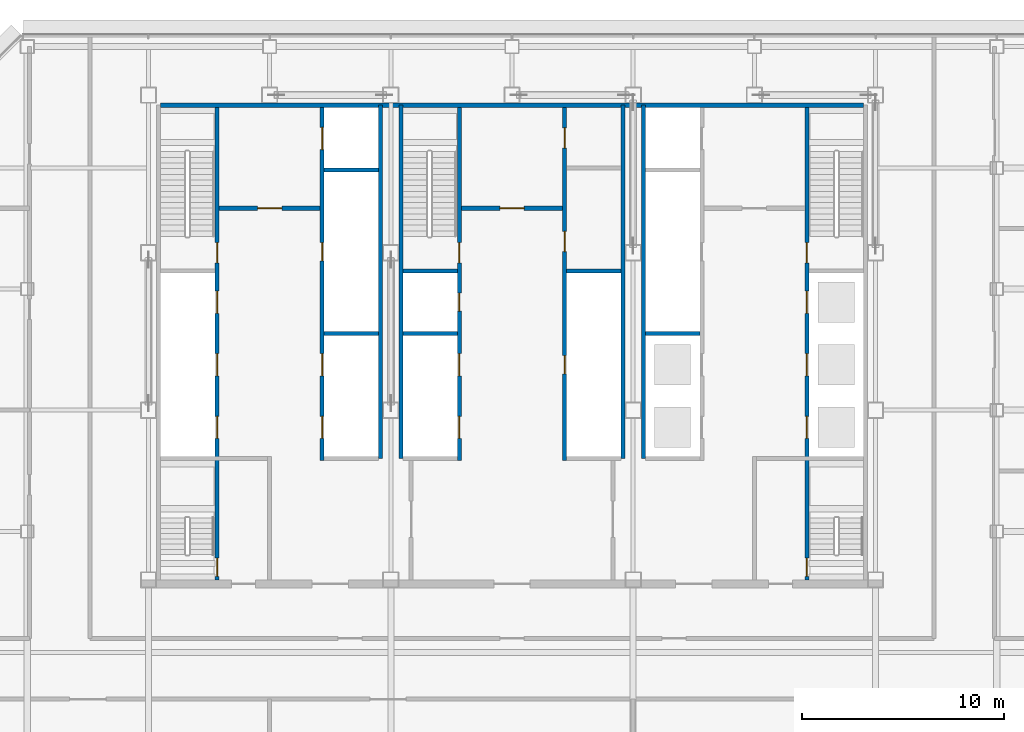
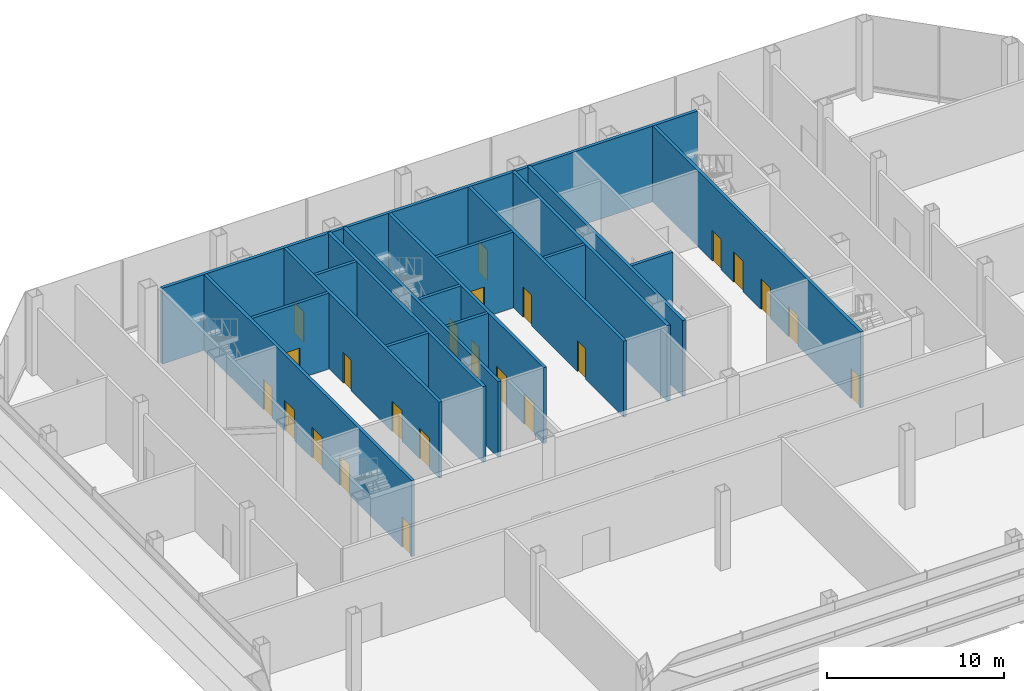
# One storey, part 17 of 24: 23 doors, 18 walls, 23 openings.
"""IFC4 building model written with IfcOpenShell, lengths in metres."""

from ifc_helpers import new_model, si_unit, direction, frame, frame_2d, origin, place, context, subcontext, project, spatial, rectangle, extrude, material, layer, layer_set, type_object, element, fill, save


model = new_model("IFC4")

# Units and contexts
model_context = context("Model", 3, precision=1e-05, world=origin(), true_north=direction((0.0, 1.0)))
body_context = subcontext(model_context, "Body", "Model", "MODEL_VIEW")
ifc_project = project(units=[si_unit("LENGTHUNIT", "METRE"), si_unit("AREAUNIT", "SQUARE_METRE"), si_unit("VOLUMEUNIT", "CUBIC_METRE"), si_unit("PLANEANGLEUNIT", "RADIAN"), si_unit("MASSUNIT", "GRAM", prefix="KILO")], contexts=[model_context])

# Site, building, storey
site_placement = place(None, origin())
site = spatial("IfcSite", under=ifc_project, at=site_placement, CompositionType="ELEMENT")
building_placement = place(site_placement, origin())
building = spatial("IfcBuilding", under=site, at=building_placement, Name="Sorahane Residences", CompositionType="ELEMENT")
storey_placement = place(building_placement, frame((0.0, 0.0, 161.800048828125)))
storey = spatial("IfcBuildingStorey", under=building, at=storey_placement, Name="L37", CompositionType="ELEMENT", Elevation=161.800048828125)

# Walls
ifc_material_1 = material(Name="Concrete C30", Category="concrete")
ifc_layer_1 = layer(ifc_material_1, 0.199951171875)
ifc_layer_set_1 = layer_set([ifc_layer_1], Name="Core face wall 200 EI 180")
wall_type_1 = type_object("IfcWallType", Name="Core face wall 200 EI 180", PredefinedType="SOLIDWALL", material=ifc_layer_set_1)
wall_1_placement = place(storey_placement, frame((6.60009765625, 45.10009765625, 0.0), z_axis=(0.0, 0.0, 1.0), x_axis=(1.0, 0.0, 0.0)))
element("IfcWall", 1, at=wall_1_placement, inside=storey, type_object=wall_type_1, Name="L37 core face wall", PredefinedType="SOLIDWALL", context=body_context, shape_type="SweptSolid", body=[
    extrude(rectangle(XDim=34.7998046875, YDim=0.199951171875, at=frame_2d((17.39990234375, 0.0))), origin(), (0.0, 0.0, 1.0), 5.219970703125),
])
for number, where, z_axis, x_axis, name in (
    (2, (17.5, 27.60009765625, 0.0), (0.0, 0.0, 1.0), (0.0, 1.0, 0.0), "L37 core face wall"),
    (3, (18.5, 27.60009765625, 0.0), (0.0, 0.0, 1.0), (0.0, 1.0, 0.0), "L37 core face wall"),
    (4, (29.5, 27.60009765625, 0.0), (0.0, 0.0, 1.0), (0.0, 1.0, 0.0), "L37 core face wall"),
    (5, (30.5, 27.60009765625, 0.0), (0.0, 0.0, 1.0), (0.0, 1.0, 0.0), "L37 core face wall"),
):
    element("IfcWall", number, at=place(storey_placement, frame(where, z_axis=z_axis, x_axis=x_axis)), inside=storey, type_object=wall_type_1, Name=name, PredefinedType="SOLIDWALL", context=body_context, shape_type="SweptSolid", body=[
        extrude(rectangle(XDim=17.5, YDim=0.199951171875, at=frame_2d((8.75, 0.0))), origin(), (0.0, 0.0, 1.0), 5.219970703125),
    ])

# Wall, opening, door
ifc_material_2 = material(Name="Concrete C30", Category="concrete")
ifc_layer_2 = layer(ifc_material_2, 0.199951171875)
ifc_layer_set_2 = layer_set([ifc_layer_2], Name="Front room wall 200 EI 120")
wall_type_2 = type_object("IfcWallType", Name="Front room wall 200 EI 120", PredefinedType="PARTITIONING", material=ifc_layer_set_2)
wall_2_placement = place(storey_placement, frame((21.5, 40.0, 0.0), z_axis=(0.0, 0.0, 1.0), x_axis=(1.0, 0.0, 0.0)))
wall_2 = element("IfcWall", 6, at=wall_2_placement, inside=storey, type_object=wall_type_2, Name="L37 front room wall", PredefinedType="PARTITIONING", context=body_context, shape_type="SweptSolid", body=[
    extrude(rectangle(XDim=5.0, YDim=0.199951171875, at=frame_2d((2.5, 0.0))), origin(), (0.0, 0.0, 1.0), 5.219970703125),
])
opening_1_placement = place(wall_2_placement, frame((1.89990234375, 0.0, 0.0)))
opening_1 = element("IfcOpeningElement", 7, at=opening_1_placement, cuts=wall_2, Name="Opening L37-C09", PredefinedType="OPENING", context=body_context, shape_type="SweptSolid", body=[
    extrude(rectangle(XDim=1.199951171875, YDim=2.10009765625, at=frame_2d((0.60009765625, 1.050048828125))), frame((0.0, 0.10986328125, 0.0), z_axis=(0.0, -1.0, 0.0), x_axis=(1.0, 0.0, 0.0)), (0.0, 0.0, 1.0), 0.219970703125),
])
ifc_material_3 = material(Name="Steel", Category="steel")
door_type_1 = type_object("IfcDoorType", Name="Front room door 1200x2100 FD120", OperationType="NOTDEFINED", PredefinedType="DOOR", material=ifc_material_3)
door_1_placement = place(opening_1_placement, frame((1.199951171875, 0.0, 0.0), z_axis=(0.0, 0.0, 1.0), x_axis=(-1.0, 0.0, 0.0)))
door_1 = element("IfcDoor", 8, at=door_1_placement, inside=storey, type_object=door_type_1, Name="Front room door Stair S3 vestibule L37", OperationType="DOUBLE_DOOR_SINGLE_SWING", OverallHeight=2.10009765625, OverallWidth=1.199951171875, PredefinedType="DOOR", context=body_context, shape_type="SweptSolid", body=[
    extrude(rectangle(XDim=1.199951171875, YDim=2.10009765625, at=frame_2d((0.60009765625, 1.050048828125))), frame((0.0, 0.02490234375, 0.0), z_axis=(0.0, -1.0, 0.0), x_axis=(1.0, 0.0, 0.0)), (0.0, 0.0, 1.0), 0.050048828125),
])
fill(opening_1, door_1)

wall_3_placement = place(storey_placement, frame((9.5, 40.0, 0.0), z_axis=(0.0, 0.0, 1.0), x_axis=(1.0, 0.0, 0.0)))
wall_3 = element("IfcWall", 9, at=wall_3_placement, inside=storey, type_object=wall_type_2, Name="L37 front room wall", PredefinedType="PARTITIONING", context=body_context, shape_type="SweptSolid", body=[
    extrude(rectangle(XDim=5.0, YDim=0.199951171875, at=frame_2d((2.5, 0.0))), origin(), (0.0, 0.0, 1.0), 5.219970703125),
])
opening_2_placement = place(wall_3_placement, frame((1.89990234375, 0.0, 0.0)))
opening_2 = element("IfcOpeningElement", 10, at=opening_2_placement, cuts=wall_3, Name="Opening L37-C08", PredefinedType="OPENING", context=body_context, shape_type="SweptSolid", body=[
    extrude(rectangle(XDim=1.199951171875, YDim=2.10009765625, at=frame_2d((0.60009765625, 1.050048828125))), frame((0.0, 0.10986328125, 0.0), z_axis=(0.0, -1.0, 0.0), x_axis=(1.0, 0.0, 0.0)), (0.0, 0.0, 1.0), 0.219970703125),
])
door_2_placement = place(opening_2_placement, frame((1.199951171875, 0.0, 0.0), z_axis=(0.0, 0.0, 1.0), x_axis=(-1.0, 0.0, 0.0)))
door_2 = element("IfcDoor", 11, at=door_2_placement, inside=storey, type_object=door_type_1, Name="Front room door Firefighting lobby FF1 front room L37", OperationType="DOUBLE_DOOR_SINGLE_SWING", OverallHeight=2.10009765625, OverallWidth=1.199951171875, PredefinedType="DOOR", context=body_context, shape_type="SweptSolid", body=[
    extrude(rectangle(XDim=1.199951171875, YDim=2.10009765625, at=frame_2d((0.60009765625, 1.050048828125))), frame((0.0, 0.02490234375, 0.0), z_axis=(0.0, -1.0, 0.0), x_axis=(1.0, 0.0, 0.0)), (0.0, 0.0, 1.0), 0.050048828125),
])
fill(opening_2, door_2)

# Wall, openings, doors
ifc_material_4 = material(Name="Concrete C30", Category="concrete")
ifc_layer_3 = layer(ifc_material_4, 0.199951171875)
ifc_layer_set_3 = layer_set([ifc_layer_3], Name="Lift shaft wall 200 EI 120")
wall_type_3 = type_object("IfcWallType", Name="Lift shaft wall 200 EI 120", PredefinedType="SOLIDWALL", material=ifc_layer_set_3)
wall_4_placement = place(storey_placement, frame((14.60009765625, 27.5, 0.0), z_axis=(0.0, 0.0, 1.0), x_axis=(0.0, 1.0, 0.0)))
wall_4 = element("IfcWall", 12, at=wall_4_placement, inside=storey, type_object=wall_type_3, Name="L37 lift shaft wall", PredefinedType="SOLIDWALL", context=body_context, shape_type="SweptSolid", body=[
    extrude(rectangle(XDim=17.5, YDim=0.199951171875, at=frame_2d((8.75, 0.0))), origin(), (0.0, 0.0, 1.0), 5.219970703125),
])
opening_3_placement = place(wall_4_placement, frame((1.10009765625, 0.0, 0.0)))
opening_3 = element("IfcOpeningElement", 13, at=opening_3_placement, cuts=wall_4, Name="Opening L37-C19", PredefinedType="OPENING", context=body_context, shape_type="SweptSolid", body=[
    extrude(rectangle(XDim=1.10009765625, YDim=2.10009765625, at=frame_2d((0.550048828125, 1.050048828125))), frame((0.0, 0.10986328125, 0.0), z_axis=(0.0, -1.0, 0.0), x_axis=(1.0, 0.0, 0.0)), (0.0, 0.0, 1.0), 0.219970703125),
])
opening_4_placement = place(wall_4_placement, frame((4.199951171875, 0.0, 0.0)))
opening_4 = element("IfcOpeningElement", 14, at=opening_4_placement, cuts=wall_4, Name="Opening L37-C20", PredefinedType="OPENING", context=body_context, shape_type="SweptSolid", body=[
    extrude(rectangle(XDim=1.10009765625, YDim=2.10009765625, at=frame_2d((0.550048828125, 1.050048828125))), frame((0.0, 0.10986328125, 0.0), z_axis=(0.0, -1.0, 0.0), x_axis=(1.0, 0.0, 0.0)), (0.0, 0.0, 1.0), 0.219970703125),
])
opening_5_placement = place(wall_4_placement, frame((15.39990234375, 0.0, 0.0)))
opening_5 = element("IfcOpeningElement", 15, at=opening_5_placement, cuts=wall_4, Name="Opening L37-C21", PredefinedType="OPENING", context=body_context, shape_type="SweptSolid", body=[
    extrude(rectangle(XDim=1.10009765625, YDim=2.10009765625, at=frame_2d((0.550048828125, 1.050048828125))), frame((0.0, 0.10986328125, 0.0), z_axis=(0.0, -1.0, 0.0), x_axis=(1.0, 0.0, 0.0)), (0.0, 0.0, 1.0), 0.219970703125),
])
opening_6_placement = place(wall_4_placement, frame((9.89990234375, 0.0, 0.0)))
opening_6 = element("IfcOpeningElement", 16, at=opening_6_placement, cuts=wall_4, Name="Opening L37-C30", PredefinedType="OPENING", context=body_context, shape_type="SweptSolid", body=[
    extrude(rectangle(XDim=0.89990234375, YDim=2.10009765625, at=frame_2d((0.449951171875, 1.050048828125))), frame((0.0, 0.10986328125, 0.0), z_axis=(0.0, -1.0, 0.0), x_axis=(1.0, 0.0, 0.0)), (0.0, 0.0, 1.0), 0.219970703125),
])
ifc_material_5 = material(Name="Aluminium and stainless steel", Category="steel")
door_type_2 = type_object("IfcDoorType", Name="Lift landing door 1100x2100 E 60", OperationType="NOTDEFINED", PredefinedType="DOOR", material=ifc_material_5)
door_3_placement = place(opening_3_placement, origin())
door_3 = element("IfcDoor", 17, at=door_3_placement, inside=storey, type_object=door_type_2, Name="Lift landing door LR4 L37", OperationType="DOUBLE_DOOR_SLIDING", OverallHeight=2.10009765625, OverallWidth=1.10009765625, PredefinedType="DOOR", context=body_context, shape_type="SweptSolid", body=[
    extrude(rectangle(XDim=1.10009765625, YDim=2.10009765625, at=frame_2d((0.550048828125, 1.050048828125))), frame((0.0, 0.02490234375, 0.0), z_axis=(0.0, -1.0, 0.0), x_axis=(1.0, 0.0, 0.0)), (0.0, 0.0, 1.0), 0.050048828125),
])
fill(opening_3, door_3)
door_4_placement = place(opening_4_placement, origin())
door_4 = element("IfcDoor", 18, at=door_4_placement, inside=storey, type_object=door_type_2, Name="Lift landing door LR5 L37", OperationType="DOUBLE_DOOR_SLIDING", OverallHeight=2.10009765625, OverallWidth=1.10009765625, PredefinedType="DOOR", context=body_context, shape_type="SweptSolid", body=[
    extrude(rectangle(XDim=1.10009765625, YDim=2.10009765625, at=frame_2d((0.550048828125, 1.050048828125))), frame((0.0, 0.02490234375, 0.0), z_axis=(0.0, -1.0, 0.0), x_axis=(1.0, 0.0, 0.0)), (0.0, 0.0, 1.0), 0.050048828125),
])
fill(opening_4, door_4)
door_5_placement = place(opening_5_placement, origin())
door_5 = element("IfcDoor", 19, at=door_5_placement, inside=storey, type_object=door_type_2, Name="Lift landing door FF1 L37", OperationType="DOUBLE_DOOR_SLIDING", OverallHeight=2.10009765625, OverallWidth=1.10009765625, PredefinedType="DOOR", context=body_context, shape_type="SweptSolid", body=[
    extrude(rectangle(XDim=1.10009765625, YDim=2.10009765625, at=frame_2d((0.550048828125, 1.050048828125))), frame((0.0, 0.02490234375, 0.0), z_axis=(0.0, -1.0, 0.0), x_axis=(1.0, 0.0, 0.0)), (0.0, 0.0, 1.0), 0.050048828125),
])
fill(opening_5, door_5)
ifc_material_6 = material(Name="Steel", Category="steel")
door_type_3 = type_object("IfcDoorType", Name="Riser door 900x2100 FD120", OperationType="NOTDEFINED", PredefinedType="DOOR", material=ifc_material_6)
door_6_placement = place(opening_6_placement, origin())
door_6 = element("IfcDoor", 20, at=door_6_placement, inside=storey, type_object=door_type_3, Name="Riser door R1 L37", OperationType="SINGLE_SWING_LEFT", OverallHeight=2.10009765625, OverallWidth=0.89990234375, PredefinedType="DOOR", context=body_context, shape_type="SweptSolid", body=[
    extrude(rectangle(XDim=0.89990234375, YDim=2.10009765625, at=frame_2d((0.449951171875, 1.050048828125))), frame((0.0, 0.02490234375, 0.0), z_axis=(0.0, -1.0, 0.0), x_axis=(1.0, 0.0, 0.0)), (0.0, 0.0, 1.0), 0.050048828125),
])
fill(opening_6, door_6)

# Walls
for number, where, z_axis, x_axis, name in (
    (21, (14.699951171875, 33.800048828125, 0.0), (0.0, 0.0, 1.0), (1.0, 0.0, 0.0), "L37 lift shaft wall"),
    (22, (18.60009765625, 33.800048828125, 0.0), (0.0, 0.0, 1.0), (1.0, 0.0, 0.0), "L37 lift shaft wall"),
    (23, (30.60009765625, 33.800048828125, 0.0), (0.0, 0.0, 1.0), (1.0, 0.0, 0.0), "L37 lift shaft wall"),
    (24, (14.699951171875, 41.89990234375, 0.0), (0.0, 0.0, 1.0), (1.0, 0.0, 0.0), "L37 lift shaft wall"),
):
    element("IfcWall", number, at=place(storey_placement, frame(where, z_axis=z_axis, x_axis=x_axis)), inside=storey, type_object=wall_type_3, Name=name, PredefinedType="SOLIDWALL", context=body_context, shape_type="SweptSolid", body=[
        extrude(rectangle(XDim=2.699951171875, YDim=0.199951171875, at=frame_2d((1.35009765625, 0.0))), origin(), (0.0, 0.0, 1.0), 5.219970703125),
    ])

# Wall, openings, doors
ifc_material_7 = material(Name="Concrete C30", Category="concrete")
ifc_layer_4 = layer(ifc_material_7, 0.199951171875)
ifc_layer_set_4 = layer_set([ifc_layer_4], Name="Riser shaft wall 200 EI 120")
wall_type_4 = type_object("IfcWallType", Name="Riser shaft wall 200 EI 120", PredefinedType="SOLIDWALL", material=ifc_layer_set_4)
wall_5_placement = place(storey_placement, frame((26.60009765625, 27.5, 0.0), z_axis=(0.0, 0.0, 1.0), x_axis=(0.0, 1.0, 0.0)))
wall_5 = element("IfcWall", 25, at=wall_5_placement, inside=storey, type_object=wall_type_4, Name="L37 riser wall", PredefinedType="SOLIDWALL", context=body_context, shape_type="SweptSolid", body=[
    extrude(rectangle(XDim=17.5, YDim=0.199951171875, at=frame_2d((8.75, 0.0))), origin(), (0.0, 0.0, 1.0), 5.219970703125),
])
opening_7_placement = place(wall_5_placement, frame((4.300048828125, 0.0, 0.0)))
opening_7 = element("IfcOpeningElement", 26, at=opening_7_placement, cuts=wall_5, Name="Opening L37-C33", PredefinedType="OPENING", context=body_context, shape_type="SweptSolid", body=[
    extrude(rectangle(XDim=0.89990234375, YDim=2.10009765625, at=frame_2d((0.449951171875, 1.050048828125))), frame((0.0, 0.10986328125, 0.0), z_axis=(0.0, -1.0, 0.0), x_axis=(1.0, 0.0, 0.0)), (0.0, 0.0, 1.0), 0.219970703125),
])
opening_8_placement = place(wall_5_placement, frame((10.35009765625, 0.0, 0.0)))
opening_8 = element("IfcOpeningElement", 27, at=opening_8_placement, cuts=wall_5, Name="Opening L37-C34", PredefinedType="OPENING", context=body_context, shape_type="SweptSolid", body=[
    extrude(rectangle(XDim=1.0, YDim=2.10009765625, at=frame_2d((0.5, 1.050048828125))), frame((0.0, 0.10986328125, 0.0), z_axis=(0.0, -1.0, 0.0), x_axis=(1.0, 0.0, 0.0)), (0.0, 0.0, 1.0), 0.219970703125),
])
opening_9_placement = place(wall_5_placement, frame((15.47509765625, 0.0, 0.0)))
opening_9 = element("IfcOpeningElement", 28, at=opening_9_placement, cuts=wall_5, Name="Opening L37-C35", PredefinedType="OPENING", context=body_context, shape_type="SweptSolid", body=[
    extrude(rectangle(XDim=1.0, YDim=2.10009765625, at=frame_2d((0.5, 1.050048828125))), frame((0.0, 0.10986328125, 0.0), z_axis=(0.0, -1.0, 0.0), x_axis=(1.0, 0.0, 0.0)), (0.0, 0.0, 1.0), 0.219970703125),
])
door_7_placement = place(opening_7_placement, origin())
door_7 = element("IfcDoor", 29, at=door_7_placement, inside=storey, type_object=door_type_3, Name="Riser door R4 L37", OperationType="SINGLE_SWING_LEFT", OverallHeight=2.10009765625, OverallWidth=0.89990234375, PredefinedType="DOOR", context=body_context, shape_type="SweptSolid", body=[
    extrude(rectangle(XDim=0.89990234375, YDim=2.10009765625, at=frame_2d((0.449951171875, 1.050048828125))), frame((0.0, 0.02490234375, 0.0), z_axis=(0.0, -1.0, 0.0), x_axis=(1.0, 0.0, 0.0)), (0.0, 0.0, 1.0), 0.050048828125),
])
fill(opening_7, door_7)
ifc_material_8 = material(Name="Steel", Category="steel")
door_type_4 = type_object("IfcDoorType", Name="Service room door 1000x2100 FD60", OperationType="NOTDEFINED", PredefinedType="DOOR", material=ifc_material_8)
door_8_placement = place(opening_8_placement, frame((1.0, 0.0, 0.0), z_axis=(0.0, 0.0, 1.0), x_axis=(-1.0, 0.0, 0.0)))
door_8 = element("IfcDoor", 30, at=door_8_placement, inside=storey, type_object=door_type_4, Name="Service room door Parcel room L37", OperationType="SINGLE_SWING_LEFT", OverallHeight=2.10009765625, OverallWidth=1.0, PredefinedType="DOOR", context=body_context, shape_type="SweptSolid", body=[
    extrude(rectangle(XDim=1.0, YDim=2.10009765625, at=frame_2d((0.5, 1.050048828125))), frame((0.0, 0.02490234375, 0.0), z_axis=(0.0, -1.0, 0.0), x_axis=(1.0, 0.0, 0.0)), (0.0, 0.0, 1.0), 0.050048828125),
])
fill(opening_8, door_8)
door_9_placement = place(opening_9_placement, frame((1.0, 0.0, 0.0), z_axis=(0.0, 0.0, 1.0), x_axis=(-1.0, 0.0, 0.0)))
door_9 = element("IfcDoor", 31, at=door_9_placement, inside=storey, type_object=door_type_4, Name="Service room door Refuse room L37", OperationType="SINGLE_SWING_RIGHT", OverallHeight=2.10009765625, OverallWidth=1.0, PredefinedType="DOOR", context=body_context, shape_type="SweptSolid", body=[
    extrude(rectangle(XDim=1.0, YDim=2.10009765625, at=frame_2d((0.5, 1.050048828125))), frame((0.0, 0.02490234375, 0.0), z_axis=(0.0, -1.0, 0.0), x_axis=(1.0, 0.0, 0.0)), (0.0, 0.0, 1.0), 0.050048828125),
])
fill(opening_9, door_9)

# Wall
wall_6_placement = place(storey_placement, frame((26.699951171875, 36.89990234375, 0.0), z_axis=(0.0, 0.0, 1.0), x_axis=(1.0, 0.0, 0.0)))
element("IfcWall", 32, at=wall_6_placement, inside=storey, type_object=wall_type_4, Name="L37 riser wall", PredefinedType="SOLIDWALL", context=body_context, shape_type="SweptSolid", body=[
    extrude(rectangle(XDim=2.699951171875, YDim=0.199951171875, at=frame_2d((1.35009765625, 0.0))), origin(), (0.0, 0.0, 1.0), 5.219970703125),
])

# Wall, openings, doors
ifc_material_9 = material(Name="Concrete C30", Category="concrete")
ifc_layer_5 = layer(ifc_material_9, 0.199951171875)
ifc_layer_set_5 = layer_set([ifc_layer_5], Name="Stair enclosure wall 200 EI 120")
wall_type_5 = type_object("IfcWallType", Name="Stair enclosure wall 200 EI 120", PredefinedType="SOLIDWALL", material=ifc_layer_set_5)
wall_7_placement = place(storey_placement, frame((21.39990234375, 27.5, 0.0), z_axis=(0.0, 0.0, 1.0), x_axis=(0.0, 1.0, 0.0)))
wall_7 = element("IfcWall", 33, at=wall_7_placement, inside=storey, type_object=wall_type_5, Name="L37 stair enclosure wall", PredefinedType="SOLIDWALL", context=body_context, shape_type="SweptSolid", body=[
    extrude(rectangle(XDim=17.5, YDim=0.199951171875, at=frame_2d((8.75, 0.0))), origin(), (0.0, 0.0, 1.0), 5.219970703125),
])
opening_10_placement = place(wall_7_placement, frame((1.10009765625, 0.0, 0.0)))
opening_10 = element("IfcOpeningElement", 34, at=opening_10_placement, cuts=wall_7, Name="Opening L37-C11", PredefinedType="OPENING", context=body_context, shape_type="SweptSolid", body=[
    extrude(rectangle(XDim=1.10009765625, YDim=2.10009765625, at=frame_2d((0.550048828125, 1.050048828125))), frame((0.0, 0.10986328125, 0.0), z_axis=(0.0, -1.0, 0.0), x_axis=(1.0, 0.0, 0.0)), (0.0, 0.0, 1.0), 0.219970703125),
])
opening_11_placement = place(wall_7_placement, frame((4.199951171875, 0.0, 0.0)))
opening_11 = element("IfcOpeningElement", 35, at=opening_11_placement, cuts=wall_7, Name="Opening L37-C12", PredefinedType="OPENING", context=body_context, shape_type="SweptSolid", body=[
    extrude(rectangle(XDim=1.10009765625, YDim=2.10009765625, at=frame_2d((0.550048828125, 1.050048828125))), frame((0.0, 0.10986328125, 0.0), z_axis=(0.0, -1.0, 0.0), x_axis=(1.0, 0.0, 0.0)), (0.0, 0.0, 1.0), 0.219970703125),
])
opening_12_placement = place(wall_7_placement, frame((9.800048828125, 0.0, 0.0)))
opening_12 = element("IfcOpeningElement", 36, at=opening_12_placement, cuts=wall_7, Name="Opening L37-C27", PredefinedType="OPENING", context=body_context, shape_type="SweptSolid", body=[
    extrude(rectangle(XDim=1.0, YDim=2.10009765625, at=frame_2d((0.5, 1.050048828125))), frame((0.0, 0.10986328125, 0.0), z_axis=(0.0, -1.0, 0.0), x_axis=(1.0, 0.0, 0.0)), (0.0, 0.0, 1.0), 0.219970703125),
])
opening_13_placement = place(wall_7_placement, frame((7.39990234375, 0.0, 0.0)))
opening_13 = element("IfcOpeningElement", 37, at=opening_13_placement, cuts=wall_7, Name="Opening L37-C32", PredefinedType="OPENING", context=body_context, shape_type="SweptSolid", body=[
    extrude(rectangle(XDim=0.89990234375, YDim=2.10009765625, at=frame_2d((0.449951171875, 1.050048828125))), frame((0.0, 0.10986328125, 0.0), z_axis=(0.0, -1.0, 0.0), x_axis=(1.0, 0.0, 0.0)), (0.0, 0.0, 1.0), 0.219970703125),
])
door_10_placement = place(opening_10_placement, origin())
door_10 = element("IfcDoor", 38, at=door_10_placement, inside=storey, type_object=door_type_2, Name="Lift landing door SH1 L37", OperationType="DOUBLE_DOOR_SLIDING", OverallHeight=2.10009765625, OverallWidth=1.10009765625, PredefinedType="DOOR", context=body_context, shape_type="SweptSolid", body=[
    extrude(rectangle(XDim=1.10009765625, YDim=2.10009765625, at=frame_2d((0.550048828125, 1.050048828125))), frame((0.0, 0.02490234375, 0.0), z_axis=(0.0, -1.0, 0.0), x_axis=(1.0, 0.0, 0.0)), (0.0, 0.0, 1.0), 0.050048828125),
])
fill(opening_10, door_10)
door_11_placement = place(opening_11_placement, origin())
door_11 = element("IfcDoor", 39, at=door_11_placement, inside=storey, type_object=door_type_2, Name="Lift landing door SH2 L37", OperationType="DOUBLE_DOOR_SLIDING", OverallHeight=2.10009765625, OverallWidth=1.10009765625, PredefinedType="DOOR", context=body_context, shape_type="SweptSolid", body=[
    extrude(rectangle(XDim=1.10009765625, YDim=2.10009765625, at=frame_2d((0.550048828125, 1.050048828125))), frame((0.0, 0.02490234375, 0.0), z_axis=(0.0, -1.0, 0.0), x_axis=(1.0, 0.0, 0.0)), (0.0, 0.0, 1.0), 0.050048828125),
])
fill(opening_11, door_11)
door_12_placement = place(opening_13_placement, frame((0.89990234375, 0.0, 0.0), z_axis=(0.0, 0.0, 1.0), x_axis=(-1.0, 0.0, 0.0)))
door_12 = element("IfcDoor", 40, at=door_12_placement, inside=storey, type_object=door_type_3, Name="Riser door R3 L37", OperationType="SINGLE_SWING_LEFT", OverallHeight=2.10009765625, OverallWidth=0.89990234375, PredefinedType="DOOR", context=body_context, shape_type="SweptSolid", body=[
    extrude(rectangle(XDim=0.89990234375, YDim=2.10009765625, at=frame_2d((0.449951171875, 1.050048828125))), frame((0.0, 0.02490234375, 0.0), z_axis=(0.0, -1.0, 0.0), x_axis=(1.0, 0.0, 0.0)), (0.0, 0.0, 1.0), 0.050048828125),
])
fill(opening_13, door_12)
ifc_material_10 = material(Name="Steel", Category="steel")
door_type_5 = type_object("IfcDoorType", Name="Stair door 1000x2100 FD120", OperationType="NOTDEFINED", PredefinedType="DOOR", material=ifc_material_10)
door_13_placement = place(opening_12_placement, origin())
door_13 = element("IfcDoor", 41, at=door_13_placement, inside=storey, type_object=door_type_5, Name="Stair door S3 L37", OperationType="SINGLE_SWING_LEFT", OverallHeight=2.10009765625, OverallWidth=1.0, PredefinedType="DOOR", context=body_context, shape_type="SweptSolid", body=[
    extrude(rectangle(XDim=1.0, YDim=2.10009765625, at=frame_2d((0.5, 1.050048828125))), frame((0.0, 0.02490234375, 0.0), z_axis=(0.0, -1.0, 0.0), x_axis=(1.0, 0.0, 0.0)), (0.0, 0.0, 1.0), 0.050048828125),
])
fill(opening_12, door_13)

wall_8_placement = place(storey_placement, frame((38.60009765625, 21.60009765625, 0.0), z_axis=(0.0, 0.0, 1.0), x_axis=(0.0, 1.0, 0.0)))
wall_8 = element("IfcWall", 42, at=wall_8_placement, inside=storey, type_object=wall_type_5, Name="L37 stair enclosure wall", PredefinedType="SOLIDWALL", context=body_context, shape_type="SweptSolid", body=[
    extrude(rectangle(XDim=23.39990234375, YDim=0.199951171875, at=frame_2d((11.699951171875, 0.0))), origin(), (0.0, 0.0, 1.0), 5.219970703125),
])
opening_14_placement = place(wall_8_placement, frame((7.0, 0.0, 0.0)))
opening_14 = element("IfcOpeningElement", 43, at=opening_14_placement, cuts=wall_8, Name="Opening L37-C13", PredefinedType="OPENING", context=body_context, shape_type="SweptSolid", body=[
    extrude(rectangle(XDim=1.10009765625, YDim=2.10009765625, at=frame_2d((0.550048828125, 1.050048828125))), frame((0.0, 0.10986328125, 0.0), z_axis=(0.0, -1.0, 0.0), x_axis=(1.0, 0.0, 0.0)), (0.0, 0.0, 1.0), 0.219970703125),
])
opening_15_placement = place(wall_8_placement, frame((10.10009765625, 0.0, 0.0)))
opening_15 = element("IfcOpeningElement", 44, at=opening_15_placement, cuts=wall_8, Name="Opening L37-C14", PredefinedType="OPENING", context=body_context, shape_type="SweptSolid", body=[
    extrude(rectangle(XDim=1.10009765625, YDim=2.10009765625, at=frame_2d((0.550048828125, 1.050048828125))), frame((0.0, 0.10986328125, 0.0), z_axis=(0.0, -1.0, 0.0), x_axis=(1.0, 0.0, 0.0)), (0.0, 0.0, 1.0), 0.219970703125),
])
opening_16_placement = place(wall_8_placement, frame((13.199951171875, 0.0, 0.0)))
opening_16 = element("IfcOpeningElement", 45, at=opening_16_placement, cuts=wall_8, Name="Opening L37-C15", PredefinedType="OPENING", context=body_context, shape_type="SweptSolid", body=[
    extrude(rectangle(XDim=1.10009765625, YDim=2.10009765625, at=frame_2d((0.550048828125, 1.050048828125))), frame((0.0, 0.10986328125, 0.0), z_axis=(0.0, -1.0, 0.0), x_axis=(1.0, 0.0, 0.0)), (0.0, 0.0, 1.0), 0.219970703125),
])
opening_17_placement = place(wall_8_placement, frame((15.699951171875, 0.0, 0.0)))
opening_17 = element("IfcOpeningElement", 46, at=opening_17_placement, cuts=wall_8, Name="Opening L37-C26", PredefinedType="OPENING", context=body_context, shape_type="SweptSolid", body=[
    extrude(rectangle(XDim=1.0, YDim=2.10009765625, at=frame_2d((0.5, 1.050048828125))), frame((0.0, 0.10986328125, 0.0), z_axis=(0.0, -1.0, 0.0), x_axis=(1.0, 0.0, 0.0)), (0.0, 0.0, 1.0), 0.219970703125),
])
opening_18_placement = place(wall_8_placement, frame((0.175048828125, 0.0, 0.0)))
opening_18 = element("IfcOpeningElement", 47, at=opening_18_placement, cuts=wall_8, Name="Opening L37-C29", PredefinedType="OPENING", context=body_context, shape_type="SweptSolid", body=[
    extrude(rectangle(XDim=0.89990234375, YDim=2.10009765625, at=frame_2d((0.449951171875, 1.050048828125))), frame((0.0, 0.10986328125, 0.0), z_axis=(0.0, -1.0, 0.0), x_axis=(1.0, 0.0, 0.0)), (0.0, 0.0, 1.0), 0.219970703125),
])
door_14_placement = place(opening_14_placement, origin())
door_14 = element("IfcDoor", 48, at=door_14_placement, inside=storey, type_object=door_type_2, Name="Lift landing door HR1 L37", OperationType="DOUBLE_DOOR_SLIDING", OverallHeight=2.10009765625, OverallWidth=1.10009765625, PredefinedType="DOOR", context=body_context, shape_type="SweptSolid", body=[
    extrude(rectangle(XDim=1.10009765625, YDim=2.10009765625, at=frame_2d((0.550048828125, 1.050048828125))), frame((0.0, 0.02490234375, 0.0), z_axis=(0.0, -1.0, 0.0), x_axis=(1.0, 0.0, 0.0)), (0.0, 0.0, 1.0), 0.050048828125),
])
fill(opening_14, door_14)
door_15_placement = place(opening_15_placement, origin())
door_15 = element("IfcDoor", 49, at=door_15_placement, inside=storey, type_object=door_type_2, Name="Lift landing door HR2 L37", OperationType="DOUBLE_DOOR_SLIDING", OverallHeight=2.10009765625, OverallWidth=1.10009765625, PredefinedType="DOOR", context=body_context, shape_type="SweptSolid", body=[
    extrude(rectangle(XDim=1.10009765625, YDim=2.10009765625, at=frame_2d((0.550048828125, 1.050048828125))), frame((0.0, 0.02490234375, 0.0), z_axis=(0.0, -1.0, 0.0), x_axis=(1.0, 0.0, 0.0)), (0.0, 0.0, 1.0), 0.050048828125),
])
fill(opening_15, door_15)
door_16_placement = place(opening_16_placement, origin())
door_16 = element("IfcDoor", 50, at=door_16_placement, inside=storey, type_object=door_type_2, Name="Lift landing door HR3 L37", OperationType="DOUBLE_DOOR_SLIDING", OverallHeight=2.10009765625, OverallWidth=1.10009765625, PredefinedType="DOOR", context=body_context, shape_type="SweptSolid", body=[
    extrude(rectangle(XDim=1.10009765625, YDim=2.10009765625, at=frame_2d((0.550048828125, 1.050048828125))), frame((0.0, 0.02490234375, 0.0), z_axis=(0.0, -1.0, 0.0), x_axis=(1.0, 0.0, 0.0)), (0.0, 0.0, 1.0), 0.050048828125),
])
fill(opening_16, door_16)
door_17_placement = place(opening_17_placement, frame((1.0, 0.0, 0.0), z_axis=(0.0, 0.0, 1.0), x_axis=(-1.0, 0.0, 0.0)))
door_17 = element("IfcDoor", 51, at=door_17_placement, inside=storey, type_object=door_type_5, Name="Stair door S2 L37", OperationType="SINGLE_SWING_LEFT", OverallHeight=2.10009765625, OverallWidth=1.0, PredefinedType="DOOR", context=body_context, shape_type="SweptSolid", body=[
    extrude(rectangle(XDim=1.0, YDim=2.10009765625, at=frame_2d((0.5, 1.050048828125))), frame((0.0, 0.02490234375, 0.0), z_axis=(0.0, -1.0, 0.0), x_axis=(1.0, 0.0, 0.0)), (0.0, 0.0, 1.0), 0.050048828125),
])
fill(opening_17, door_17)
ifc_material_11 = material(Name="Steel", Category="steel")
door_type_6 = type_object("IfcDoorType", Name="Stair door 900x2100 FD120", OperationType="NOTDEFINED", PredefinedType="DOOR", material=ifc_material_11)
door_18_placement = place(opening_18_placement, frame((0.89990234375, 0.0, 0.0), z_axis=(0.0, 0.0, 1.0), x_axis=(-1.0, 0.0, 0.0)))
door_18 = element("IfcDoor", 52, at=door_18_placement, inside=storey, type_object=door_type_6, Name="Stair door S5 L37", OperationType="SINGLE_SWING_LEFT", OverallHeight=2.10009765625, OverallWidth=0.89990234375, PredefinedType="DOOR", context=body_context, shape_type="SweptSolid", body=[
    extrude(rectangle(XDim=0.89990234375, YDim=2.10009765625, at=frame_2d((0.449951171875, 1.050048828125))), frame((0.0, 0.02490234375, 0.0), z_axis=(0.0, -1.0, 0.0), x_axis=(1.0, 0.0, 0.0)), (0.0, 0.0, 1.0), 0.050048828125),
])
fill(opening_18, door_18)

wall_9_placement = place(storey_placement, frame((9.39990234375, 21.60009765625, 0.0), z_axis=(0.0, 0.0, 1.0), x_axis=(0.0, 1.0, 0.0)))
wall_9 = element("IfcWall", 53, at=wall_9_placement, inside=storey, type_object=wall_type_5, Name="L37 stair enclosure wall", PredefinedType="SOLIDWALL", context=body_context, shape_type="SweptSolid", body=[
    extrude(rectangle(XDim=23.39990234375, YDim=0.199951171875, at=frame_2d((11.699951171875, 0.0))), origin(), (0.0, 0.0, 1.0), 5.219970703125),
])
opening_19_placement = place(wall_9_placement, frame((7.0, 0.0, 0.0)))
opening_19 = element("IfcOpeningElement", 54, at=opening_19_placement, cuts=wall_9, Name="Opening L37-C22", PredefinedType="OPENING", context=body_context, shape_type="SweptSolid", body=[
    extrude(rectangle(XDim=1.10009765625, YDim=2.10009765625, at=frame_2d((0.550048828125, 1.050048828125))), frame((0.0, 0.10986328125, 0.0), z_axis=(0.0, -1.0, 0.0), x_axis=(1.0, 0.0, 0.0)), (0.0, 0.0, 1.0), 0.219970703125),
])
opening_20_placement = place(wall_9_placement, frame((10.10009765625, 0.0, 0.0)))
opening_20 = element("IfcOpeningElement", 55, at=opening_20_placement, cuts=wall_9, Name="Opening L37-C23", PredefinedType="OPENING", context=body_context, shape_type="SweptSolid", body=[
    extrude(rectangle(XDim=1.10009765625, YDim=2.10009765625, at=frame_2d((0.550048828125, 1.050048828125))), frame((0.0, 0.10986328125, 0.0), z_axis=(0.0, -1.0, 0.0), x_axis=(1.0, 0.0, 0.0)), (0.0, 0.0, 1.0), 0.219970703125),
])
opening_21_placement = place(wall_9_placement, frame((13.199951171875, 0.0, 0.0)))
opening_21 = element("IfcOpeningElement", 56, at=opening_21_placement, cuts=wall_9, Name="Opening L37-C24", PredefinedType="OPENING", context=body_context, shape_type="SweptSolid", body=[
    extrude(rectangle(XDim=1.10009765625, YDim=2.10009765625, at=frame_2d((0.550048828125, 1.050048828125))), frame((0.0, 0.10986328125, 0.0), z_axis=(0.0, -1.0, 0.0), x_axis=(1.0, 0.0, 0.0)), (0.0, 0.0, 1.0), 0.219970703125),
])
opening_22_placement = place(wall_9_placement, frame((15.699951171875, 0.0, 0.0)))
opening_22 = element("IfcOpeningElement", 57, at=opening_22_placement, cuts=wall_9, Name="Opening L37-C25", PredefinedType="OPENING", context=body_context, shape_type="SweptSolid", body=[
    extrude(rectangle(XDim=1.0, YDim=2.10009765625, at=frame_2d((0.5, 1.050048828125))), frame((0.0, 0.10986328125, 0.0), z_axis=(0.0, -1.0, 0.0), x_axis=(1.0, 0.0, 0.0)), (0.0, 0.0, 1.0), 0.219970703125),
])
opening_23_placement = place(wall_9_placement, frame((0.175048828125, 0.0, 0.0)))
opening_23 = element("IfcOpeningElement", 58, at=opening_23_placement, cuts=wall_9, Name="Opening L37-C28", PredefinedType="OPENING", context=body_context, shape_type="SweptSolid", body=[
    extrude(rectangle(XDim=0.89990234375, YDim=2.10009765625, at=frame_2d((0.449951171875, 1.050048828125))), frame((0.0, 0.10986328125, 0.0), z_axis=(0.0, -1.0, 0.0), x_axis=(1.0, 0.0, 0.0)), (0.0, 0.0, 1.0), 0.219970703125),
])
door_19_placement = place(opening_19_placement, origin())
door_19 = element("IfcDoor", 59, at=door_19_placement, inside=storey, type_object=door_type_2, Name="Lift landing door LR1 L37", OperationType="DOUBLE_DOOR_SLIDING", OverallHeight=2.10009765625, OverallWidth=1.10009765625, PredefinedType="DOOR", context=body_context, shape_type="SweptSolid", body=[
    extrude(rectangle(XDim=1.10009765625, YDim=2.10009765625, at=frame_2d((0.550048828125, 1.050048828125))), frame((0.0, 0.02490234375, 0.0), z_axis=(0.0, -1.0, 0.0), x_axis=(1.0, 0.0, 0.0)), (0.0, 0.0, 1.0), 0.050048828125),
])
fill(opening_19, door_19)
door_20_placement = place(opening_20_placement, origin())
door_20 = element("IfcDoor", 60, at=door_20_placement, inside=storey, type_object=door_type_2, Name="Lift landing door LR2 L37", OperationType="DOUBLE_DOOR_SLIDING", OverallHeight=2.10009765625, OverallWidth=1.10009765625, PredefinedType="DOOR", context=body_context, shape_type="SweptSolid", body=[
    extrude(rectangle(XDim=1.10009765625, YDim=2.10009765625, at=frame_2d((0.550048828125, 1.050048828125))), frame((0.0, 0.02490234375, 0.0), z_axis=(0.0, -1.0, 0.0), x_axis=(1.0, 0.0, 0.0)), (0.0, 0.0, 1.0), 0.050048828125),
])
fill(opening_20, door_20)
door_21_placement = place(opening_21_placement, origin())
door_21 = element("IfcDoor", 61, at=door_21_placement, inside=storey, type_object=door_type_2, Name="Lift landing door LR3 L37", OperationType="DOUBLE_DOOR_SLIDING", OverallHeight=2.10009765625, OverallWidth=1.10009765625, PredefinedType="DOOR", context=body_context, shape_type="SweptSolid", body=[
    extrude(rectangle(XDim=1.10009765625, YDim=2.10009765625, at=frame_2d((0.550048828125, 1.050048828125))), frame((0.0, 0.02490234375, 0.0), z_axis=(0.0, -1.0, 0.0), x_axis=(1.0, 0.0, 0.0)), (0.0, 0.0, 1.0), 0.050048828125),
])
fill(opening_21, door_21)
door_22_placement = place(opening_22_placement, origin())
door_22 = element("IfcDoor", 62, at=door_22_placement, inside=storey, type_object=door_type_5, Name="Stair door S1 L37", OperationType="SINGLE_SWING_LEFT", OverallHeight=2.10009765625, OverallWidth=1.0, PredefinedType="DOOR", context=body_context, shape_type="SweptSolid", body=[
    extrude(rectangle(XDim=1.0, YDim=2.10009765625, at=frame_2d((0.5, 1.050048828125))), frame((0.0, 0.02490234375, 0.0), z_axis=(0.0, -1.0, 0.0), x_axis=(1.0, 0.0, 0.0)), (0.0, 0.0, 1.0), 0.050048828125),
])
fill(opening_22, door_22)
door_23_placement = place(opening_23_placement, origin())
door_23 = element("IfcDoor", 63, at=door_23_placement, inside=storey, type_object=door_type_6, Name="Stair door S4 L37", OperationType="SINGLE_SWING_LEFT", OverallHeight=2.10009765625, OverallWidth=0.89990234375, PredefinedType="DOOR", context=body_context, shape_type="SweptSolid", body=[
    extrude(rectangle(XDim=0.89990234375, YDim=2.10009765625, at=frame_2d((0.449951171875, 1.050048828125))), frame((0.0, 0.02490234375, 0.0), z_axis=(0.0, -1.0, 0.0), x_axis=(1.0, 0.0, 0.0)), (0.0, 0.0, 1.0), 0.050048828125),
])
fill(opening_23, door_23)

# Wall
wall_10_placement = place(storey_placement, frame((18.60009765625, 36.89990234375, 0.0), z_axis=(0.0, 0.0, 1.0), x_axis=(1.0, 0.0, 0.0)))
element("IfcWall", 64, at=wall_10_placement, inside=storey, type_object=wall_type_5, Name="L37 stair enclosure wall", PredefinedType="SOLIDWALL", context=body_context, shape_type="SweptSolid", body=[
    extrude(rectangle(XDim=2.699951171875, YDim=0.199951171875, at=frame_2d((1.35009765625, 0.0))), origin(), (0.0, 0.0, 1.0), 5.219970703125),
])

save(model, "model.ifc")
